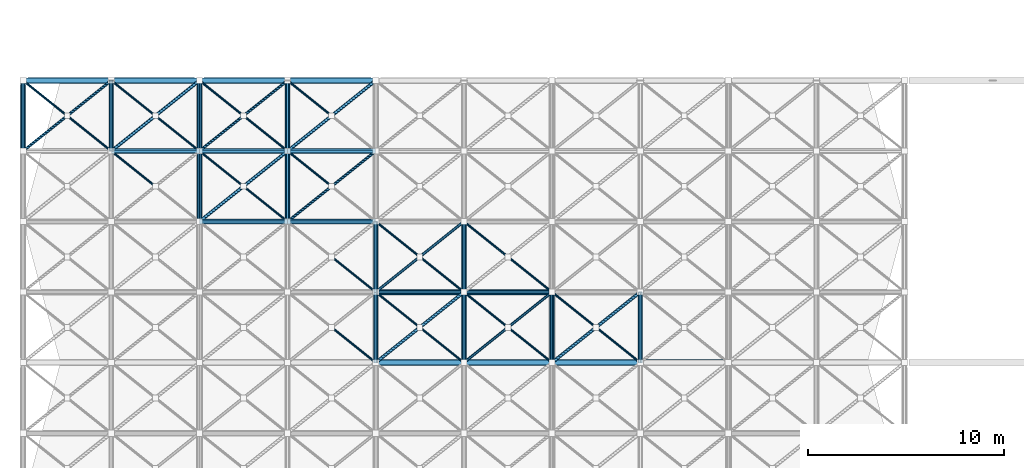
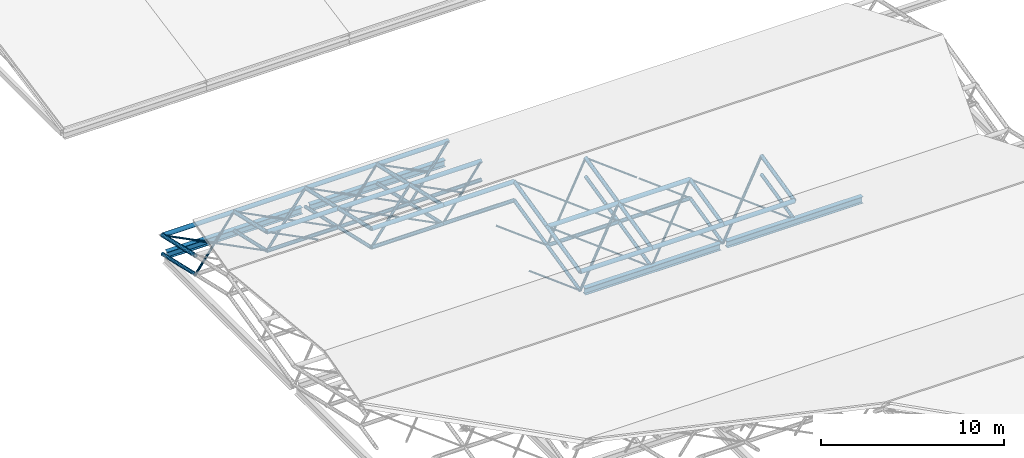
# One storey, part 27 of 110: 78 members, 4 beams.
"""IFC4 building model written with IfcOpenShell, lengths in metres."""

import ifcopenshell
import ifcopenshell.guid

model = None  # the IFC model being written
_history = None  # IfcOwnerHistory: only IFC2X3 demands one
_inside = {}  # id of a spatial element -> (the spatial element, [elements in it])
_under = {}  # id of a project, library or spatial element -> (it, [spatial elements below it])
_declared = {}  # id of a project -> (the project, [libraries it declares])
_typed = {}  # id of a type object -> (the type object, [elements of that type])
_made_of = {}  # id of a material, layer set ... -> (it, [elements and type objects made of it])


def new_model(schema):
    """Start an empty IFC model of exactly this schema.

    Asked for "IFC4X3", IfcOpenShell would pick the latest addendum, in which some entities
    have other attributes; the version numbers below select the first issue.
    IFC2X3 requires an IfcOwnerHistory on every rooted entity: one is made here for all.
    """
    global model, _history
    if schema == "IFC4X3":
        model = ifcopenshell.file(schema_version=(4, 3, 0, 0))
    else:
        model = ifcopenshell.file(schema=schema)
    _inside.clear()
    _under.clear()
    _declared.clear()
    _typed.clear()
    _made_of.clear()
    _history = None
    if model.schema == "IFC2X3":
        org = make("IfcOrganization", Name="unknown")
        user = make(
            "IfcPersonAndOrganization",
            ThePerson=make("IfcPerson", FamilyName="unknown"),
            TheOrganization=org,
        )
        app = make(
            "IfcApplication",
            ApplicationDeveloper=org,
            Version="unknown",
            ApplicationFullName="unknown",
            ApplicationIdentifier="unknown",
        )
        _history = make(
            "IfcOwnerHistory",
            OwningUser=user,
            OwningApplication=app,
            ChangeAction="ADDED",
            CreationDate=0,
        )
    return model


def make(cls, **values):
    """One entity of the class cls with the attributes given. An attribute that is None is left unset."""
    return model.create_entity(
        cls, **{name: value for name, value in values.items() if value is not None}
    )


def rooted(cls, **values):
    """An entity with a GlobalId (a new one), such as an element, a storey or a relation."""
    return make(cls, GlobalId=ifcopenshell.guid.new(), OwnerHistory=_history, **values)


def si_unit(unit_type, name, prefix=None):
    """IfcSIUnit, for example si_unit("LENGTHUNIT", "METRE", prefix="MILLI")."""
    return make("IfcSIUnit", UnitType=unit_type, Prefix=prefix, Name=name)


def assignment(units):
    """IfcUnitAssignment: the units of a project."""
    return None if units is None else make("IfcUnitAssignment", Units=units)


def point(xyz):
    """IfcCartesianPoint."""
    return None if xyz is None else make("IfcCartesianPoint", Coordinates=xyz)


def direction(xyz):
    """IfcDirection."""
    return None if xyz is None else make("IfcDirection", DirectionRatios=xyz)


def frame(location, z_axis=None, x_axis=None):
    """IfcAxis2Placement3D, a coordinate frame: its origin and axes. An axis left out is left unset."""
    return make(
        "IfcAxis2Placement3D",
        Location=point(location),
        Axis=direction(z_axis),
        RefDirection=direction(x_axis),
    )


def frame_2d(location, x_axis=None):
    """IfcAxis2Placement2D, a coordinate frame in the plane: its origin and x axis."""
    return make(
        "IfcAxis2Placement2D", Location=point(location), RefDirection=direction(x_axis)
    )


def origin():
    """The frame at (0, 0, 0) with its axes left unset."""
    return frame((0.0, 0.0, 0.0))


def origin_2d():
    """The frame at (0, 0) in the plane with its x axis left unset."""
    return frame_2d((0.0, 0.0))


def place(relative_to, where):
    """IfcLocalPlacement: puts the frame where relative to a parent placement (None: the world)."""
    return make(
        "IfcLocalPlacement", PlacementRelTo=relative_to, RelativePlacement=where
    )


def context(
    kind, dimensions, precision=None, world=None, true_north=None, identifier=None
):
    """IfcGeometricRepresentationContext, for example the 3D "Model" context."""
    return make(
        "IfcGeometricRepresentationContext",
        ContextIdentifier=identifier,
        ContextType=kind,
        CoordinateSpaceDimension=dimensions,
        Precision=precision,
        WorldCoordinateSystem=world,
        TrueNorth=true_north,
    )


def subcontext(parent, identifier, kind, view, scale=None):
    """IfcGeometricRepresentationSubContext, for example "Body" below "Model"."""
    return make(
        "IfcGeometricRepresentationSubContext",
        ContextIdentifier=identifier,
        ContextType=kind,
        ParentContext=parent,
        TargetScale=scale,
        TargetView=view,
    )


def project(units=None, contexts=None):
    """IfcProject with its units and contexts."""
    return rooted(
        "IfcProject",
        Name="project",
        RepresentationContexts=contexts,
        UnitsInContext=assignment(units),
    )


def spatial(cls, under=None, at=None, **own):
    """A site, building, storey or space (cls), placed at a placement, below another one or the project."""
    s = rooted(cls, ObjectPlacement=at, **own)
    if under is not None:
        _under.setdefault(under.id(), (under, []))[1].append(s)
    return s


def profile(cls, at=None, kind="AREA", **sizes):
    """A parametric profile (cls). Its sizes go by their IFC names, for example OverallWidth=200.0."""
    return make(cls, ProfileType=kind, Position=at, **sizes)


def hollow_circle(**sizes):
    """IfcCircleHollowProfileDef."""
    return profile("IfcCircleHollowProfileDef", **sizes)


def i_section(**sizes):
    """IfcIShapeProfileDef."""
    return profile("IfcIShapeProfileDef", **sizes)


def extrude(swept, where, along, depth):
    """IfcExtrudedAreaSolid: the profile swept, set in the frame where, extruded along a direction by depth."""
    return make(
        "IfcExtrudedAreaSolid",
        SweptArea=swept,
        Position=where,
        ExtrudedDirection=direction(along),
        Depth=depth,
    )


def shape(context_of_items, identifier, shape_type, items):
    """IfcShapeRepresentation: the items that make up one representation, for example the "Body"."""
    return make(
        "IfcShapeRepresentation",
        ContextOfItems=context_of_items,
        RepresentationIdentifier=identifier,
        RepresentationType=shape_type,
        Items=items,
    )


def material(Name=None, Category=None):
    """IfcMaterial."""
    return make("IfcMaterial", Name=Name, Category=Category)


def material_profile(
    of_material, cross_section, Name=None, Category=None, Priority=None
):
    """IfcMaterialProfile: a cross section and its material."""
    return make(
        "IfcMaterialProfile",
        Name=Name,
        Material=of_material,
        Profile=cross_section,
        Priority=Priority,
        Category=Category,
    )


def profile_set(profiles, Name=None, composite=None):
    """IfcMaterialProfileSet."""
    return make(
        "IfcMaterialProfileSet",
        Name=Name,
        MaterialProfiles=profiles,
        CompositeProfile=composite,
    )


def made_of(thing, what):
    """Note that an element or type object is made of a material, layer set ...; save() writes the relation."""
    if what is not None:
        _made_of.setdefault(what.id(), (what, []))[1].append(thing)
    return thing


def type_object(cls, material=None, **own):
    """A type object (cls), such as IfcWallType, which elements share."""
    return made_of(rooted(cls, **own), material)


def element(
    cls,
    number,
    at=None,
    inside=None,
    cuts=None,
    type_object=None,
    material=None,
    context=None,
    identifier="Body",
    shape_type=None,
    held_by="IfcProductDefinitionShape",
    body=None,
    shapes=None,
    **own,
):
    """One element of the class cls, such as IfcWall. Its Tag is "e" and its number.

    at: its placement. inside: the storey or other place that contains it. cuts: it is an
    opening in that element (IfcRelVoidsElement). A single representation is given by context,
    identifier, shape_type and body (its items); several are given by shapes. held_by: the class
    of the entity that holds the representations. save() writes the other relations.
    """
    e = rooted(cls, Tag="e%d" % number, ObjectPlacement=at, **own)
    if body is not None:
        shapes = [shape(context, identifier, shape_type, body)]
    if shapes is not None:
        e.Representation = make(held_by, Representations=shapes)
    if inside is not None:
        _inside.setdefault(inside.id(), (inside, []))[1].append(e)
    if cuts is not None:
        rooted(
            "IfcRelVoidsElement", RelatingBuildingElement=cuts, RelatedOpeningElement=e
        )
    if type_object is not None:
        _typed.setdefault(type_object.id(), (type_object, []))[1].append(e)
    return made_of(e, material)


def aggregate(whole, parts):
    """IfcRelAggregates: a whole, such as a stair, and the parts it consists of."""
    return rooted("IfcRelAggregates", RelatingObject=whole, RelatedObjects=parts)


def save(model, path):
    """Write the relations noted so far, then the file.

    IfcRelAggregates (storeys below a building ...), IfcRelContainedInSpatialStructure (elements
    in a storey), IfcRelDefinesByType, IfcRelAssociatesMaterial and IfcRelDeclares: one each for
    every whole, place, type object, material and project.
    """
    for whole, parts in _under.values():
        aggregate(whole, parts)
    for where, things in _inside.values():
        rooted(
            "IfcRelContainedInSpatialStructure",
            RelatedElements=things,
            RelatingStructure=where,
        )
    for kind, things in _typed.values():
        rooted("IfcRelDefinesByType", RelatedObjects=things, RelatingType=kind)
    for what, things in _made_of.values():
        rooted("IfcRelAssociatesMaterial", RelatedObjects=things, RelatingMaterial=what)
    for by, libraries in _declared.values():
        rooted("IfcRelDeclares", RelatingContext=by, RelatedDefinitions=libraries)
    model.write(path)


model = new_model("IFC4")

# Units and contexts
model_context = context("Model", 3, precision=1e-05, world=origin(), true_north=direction((0.0, 1.0)))
body_context = subcontext(model_context, "Body", "Model", "MODEL_VIEW")
ifc_project = project(units=[si_unit("LENGTHUNIT", "METRE"), si_unit("AREAUNIT", "SQUARE_METRE"), si_unit("VOLUMEUNIT", "CUBIC_METRE"), si_unit("PLANEANGLEUNIT", "RADIAN"), si_unit("MASSUNIT", "GRAM", prefix="KILO")], contexts=[model_context])

# Site, building, storey
site_placement = place(None, origin())
site = spatial("IfcSite", under=ifc_project, at=site_placement, CompositionType="ELEMENT")
building_placement = place(site_placement, origin())
building = spatial("IfcBuilding", under=site, at=building_placement, Name="Tamarisk Ironworks Central Station", CompositionType="ELEMENT")
storey_placement = place(building_placement, frame((0.0, 0.0, 17.39990234375)))
storey = spatial("IfcBuildingStorey", under=building, at=storey_placement, Name="L03", CompositionType="ELEMENT", Elevation=17.39990234375)

# Beams
ifc_material_1 = material(Name="Structural steel S355J2", Category="steel")
ifc_material_profile_1 = material_profile(ifc_material_1, i_section(OverallWidth=0.300048828125, OverallDepth=0.43994140625, WebThickness=0.011474609375, FlangeThickness=0.02099609375, at=origin_2d()), Name="HEA 450")
ifc_profile_set_1 = profile_set([ifc_material_profile_1], Name="Structural steel S355J2")
beam_type = type_object("IfcBeamType", Name="BM-G06", PredefinedType="BEAM", material=ifc_profile_set_1)
for number, where, z_axis, x_axis, name in (
    (1, (18.241943359375, 64.800048828125, -1.81982421875), (1.0, 0.0, 0.0), (0.0, 1.0, 0.0), "L03 primary girder X-0569"),
    (2, (27.191162109375, 64.800048828125, -1.81982421875), (1.0, 0.0, 0.0), (0.0, 1.0, 0.0), "L03 primary girder X-0570"),
):
    element("IfcBeam", number, at=place(storey_placement, frame(where, z_axis=z_axis, x_axis=x_axis)), inside=storey, type_object=beam_type, Name=name, PredefinedType="BEAM", context=body_context, shape_type="SweptSolid", body=[
        extrude(i_section(OverallWidth=0.300048828125, OverallDepth=0.43994140625, WebThickness=0.011474609375, FlangeThickness=0.02099609375, at=origin_2d()), origin(), (0.0, 0.0, 1.0), 8.56689453125),
    ])
beam_1_placement = place(storey_placement, frame((0.238037109375, 79.199951171875, -1.81982421875), z_axis=(1.0, 0.0, 0.0), x_axis=(0.0, 1.0, 0.0)))
element("IfcBeam", 3, at=beam_1_placement, inside=storey, type_object=beam_type, Name="L03 primary girder X-0577", PredefinedType="BEAM", context=body_context, shape_type="SweptSolid", body=[
    extrude(i_section(OverallWidth=0.300048828125, OverallDepth=0.43994140625, WebThickness=0.011474609375, FlangeThickness=0.02099609375, at=origin_2d()), origin(), (0.0, 0.0, 1.0), 8.52001953125),
])
beam_2_placement = place(storey_placement, frame((9.241943359375, 79.199951171875, -1.81982421875), z_axis=(1.0, 0.0, 0.0), x_axis=(0.0, 1.0, 0.0)))
element("IfcBeam", 4, at=beam_2_placement, inside=storey, type_object=beam_type, Name="L03 primary girder X-0578", PredefinedType="BEAM", context=body_context, shape_type="SweptSolid", body=[
    extrude(i_section(OverallWidth=0.300048828125, OverallDepth=0.43994140625, WebThickness=0.011474609375, FlangeThickness=0.02099609375, at=origin_2d()), origin(), (0.0, 0.0, 1.0), 8.51611328125),
])

# Members
ifc_material_2 = material(Name="Structural steel S355J2H", Category="steel")
ifc_material_profile_2 = material_profile(ifc_material_2, hollow_circle(Radius=0.136474609375, WallThickness=0.012451171875, at=origin_2d()), Name="CHS 273x12.5")
ifc_profile_set_2 = profile_set([ifc_material_profile_2], Name="Structural steel S355J2H")
member_type_1 = type_object("IfcMemberType", Name="MB-SFC01", PredefinedType="CHORD", material=ifc_profile_set_2)
for number, where, z_axis, x_axis, name in (
    (5, (18.0, 64.800048828125, -0.469970703125), (1.0, 0.0, 0.0), (0.0, 1.0, 0.0), "Train shed space-frame top chord 0595"),
    (6, (22.5, 64.800048828125, -0.469970703125), (1.0, 0.0, 0.0), (0.0, 1.0, 0.0), "Train shed space-frame top chord 0596"),
    (7, (27.0, 64.800048828125, -0.469970703125), (1.0, 0.0, 0.0), (0.0, 1.0, 0.0), "Train shed space-frame top chord 0597"),
    (8, (18.0, 68.39990234375, 0.35498046875), (1.0, 0.0, 0.0), (0.0, 1.0, 0.0), "Train shed space-frame top chord 0803"),
    (9, (22.5, 68.39990234375, 0.35498046875), (1.0, 0.0, 0.0), (0.0, 1.0, 0.0), "Train shed space-frame top chord 0804"),
    (10, (9.0, 72.0, 1.18017578125), (1.0, 0.0, 0.0), (0.0, 1.0, 0.0), "Train shed space-frame top chord 0811"),
    (11, (13.5, 72.0, 1.18017578125), (1.0, 0.0, 0.0), (0.0, 1.0, 0.0), "Train shed space-frame top chord 0812"),
    (12, (4.5, 75.60009765625, 0.35498046875), (1.0, 0.0, 0.0), (0.0, 1.0, 0.0), "Train shed space-frame top chord 0820"),
    (13, (9.0, 75.60009765625, 0.35498046875), (1.0, 0.0, 0.0), (0.0, 1.0, 0.0), "Train shed space-frame top chord 0821"),
    (14, (13.5, 75.60009765625, 0.35498046875), (1.0, 0.0, 0.0), (0.0, 1.0, 0.0), "Train shed space-frame top chord 0822"),
    (15, (0.0, 79.199951171875, -0.469970703125), (1.0, 0.0, 0.0), (0.0, 1.0, 0.0), "Train shed space-frame top chord 0829"),
    (16, (4.5, 79.199951171875, -0.469970703125), (1.0, 0.0, 0.0), (0.0, 1.0, 0.0), "Train shed space-frame top chord 0830"),
    (17, (9.0, 79.199951171875, -0.469970703125), (1.0, 0.0, 0.0), (0.0, 1.0, 0.0), "Train shed space-frame top chord 0831"),
    (18, (13.5, 79.199951171875, -0.469970703125), (1.0, 0.0, 0.0), (0.0, 1.0, 0.0), "Train shed space-frame top chord 0832"),
):
    element("IfcMember", number, at=place(storey_placement, frame(where, z_axis=z_axis, x_axis=x_axis)), inside=storey, type_object=member_type_1, Name=name, PredefinedType="CHORD", context=body_context, shape_type="SweptSolid", body=[
        extrude(hollow_circle(Radius=0.136474609375, WallThickness=0.012451171875, at=origin_2d()), origin(), (0.0, 0.0, 1.0), 4.5),
    ])
ifc_material_profile_3 = material_profile(ifc_material_2, hollow_circle(Radius=0.122314453125, WallThickness=0.012451171875, at=origin_2d()), Name="CHS 244.5x12.5")
ifc_profile_set_3 = profile_set([ifc_material_profile_3], Name="Structural steel S355J2H")
member_type_2 = type_object("IfcMemberType", Name="MB-SFC02", PredefinedType="CHORD", material=ifc_profile_set_3)
for number, where, z_axis, x_axis, name in (
    (19, (18.0, 68.39990234375, -0.89501953125), (1.0, 0.0, 0.0), (0.0, 1.0, 0.0), "Train shed space-frame bottom chord 0729"),
    (20, (22.5, 68.39990234375, -0.89501953125), (1.0, 0.0, 0.0), (0.0, 1.0, 0.0), "Train shed space-frame bottom chord 0730"),
    (21, (9.0, 72.0, -0.06982421875), (1.0, 0.0, 0.0), (0.0, 1.0, 0.0), "Train shed space-frame bottom chord 0737"),
    (22, (13.5, 72.0, -0.06982421875), (1.0, 0.0, 0.0), (0.0, 1.0, 0.0), "Train shed space-frame bottom chord 0738"),
    (23, (4.5, 75.60009765625, -0.89501953125), (1.0, 0.0, 0.0), (0.0, 1.0, 0.0), "Train shed space-frame bottom chord 0746"),
    (24, (9.0, 75.60009765625, -0.89501953125), (1.0, 0.0, 0.0), (0.0, 1.0, 0.0), "Train shed space-frame bottom chord 0747"),
    (25, (13.5, 75.60009765625, -0.89501953125), (1.0, 0.0, 0.0), (0.0, 1.0, 0.0), "Train shed space-frame bottom chord 0748"),
):
    element("IfcMember", number, at=place(storey_placement, frame(where, z_axis=z_axis, x_axis=x_axis)), inside=storey, type_object=member_type_2, Name=name, PredefinedType="CHORD", context=body_context, shape_type="SweptSolid", body=[
        extrude(hollow_circle(Radius=0.122314453125, WallThickness=0.012451171875, at=origin_2d()), origin(), (0.0, 0.0, 1.0), 4.5),
    ])
for number, where, z_axis, x_axis, name in (
    (26, (0.0, 75.60009765625, 0.35498046875), (0.0, 0.974733218107, -0.223372230857), (-1.0, 0.0, 0.0), "Train shed space-frame top transverse chord 0842"),
    (27, (4.5, 75.60009765625, 0.35498046875), (0.0, 0.974733218107, -0.223372230857), (-1.0, 0.0, 0.0), "Train shed space-frame top transverse chord 0846"),
):
    element("IfcMember", number, at=place(storey_placement, frame(where, z_axis=z_axis, x_axis=x_axis)), inside=storey, type_object=member_type_2, Name=name, PredefinedType="CHORD", context=body_context, shape_type="SweptSolid", body=[
        extrude(hollow_circle(Radius=0.122314453125, WallThickness=0.012451171875, at=origin_2d()), origin(), (0.0, 0.0, 1.0), 3.693115234375),
    ])
member_1_placement = place(storey_placement, frame((9.0, 72.0, 1.18017578125), z_axis=(0.0, 0.974722123001, -0.223420641241), x_axis=(-1.0, 0.0, 0.0)))
element("IfcMember", 28, at=member_1_placement, inside=storey, type_object=member_type_2, Name="Train shed space-frame top transverse chord 0849", PredefinedType="CHORD", context=body_context, shape_type="SweptSolid", body=[
    extrude(hollow_circle(Radius=0.122314453125, WallThickness=0.012451171875, at=origin_2d()), origin(), (0.0, 0.0, 1.0), 3.693359375),
])
member_2_placement = place(storey_placement, frame((9.0, 75.60009765625, 0.35498046875), z_axis=(0.0, 0.974733218107, -0.223372230857), x_axis=(-1.0, 0.0, 0.0)))
element("IfcMember", 29, at=member_2_placement, inside=storey, type_object=member_type_2, Name="Train shed space-frame top transverse chord 0850", PredefinedType="CHORD", context=body_context, shape_type="SweptSolid", body=[
    extrude(hollow_circle(Radius=0.122314453125, WallThickness=0.012451171875, at=origin_2d()), origin(), (0.0, 0.0, 1.0), 3.693115234375),
])
member_3_placement = place(storey_placement, frame((13.5, 72.0, 1.18017578125), z_axis=(0.0, 0.974722123001, -0.223420641241), x_axis=(-1.0, 0.0, 0.0)))
element("IfcMember", 30, at=member_3_placement, inside=storey, type_object=member_type_2, Name="Train shed space-frame top transverse chord 0853", PredefinedType="CHORD", context=body_context, shape_type="SweptSolid", body=[
    extrude(hollow_circle(Radius=0.122314453125, WallThickness=0.012451171875, at=origin_2d()), origin(), (0.0, 0.0, 1.0), 3.693359375),
])
for number, where, z_axis, x_axis, name in (
    (31, (13.5, 75.60009765625, 0.35498046875), (0.0, 0.974733218107, -0.223372230857), (-1.0, 0.0, 0.0), "Train shed space-frame top transverse chord 0854"),
    (32, (18.0, 64.800048828125, -0.469970703125), (0.0, 0.974733218107, 0.223372230857), (-1.0, 0.0, 0.0), "Train shed space-frame top transverse chord 0855"),
):
    element("IfcMember", number, at=place(storey_placement, frame(where, z_axis=z_axis, x_axis=x_axis)), inside=storey, type_object=member_type_2, Name=name, PredefinedType="CHORD", context=body_context, shape_type="SweptSolid", body=[
        extrude(hollow_circle(Radius=0.122314453125, WallThickness=0.012451171875, at=origin_2d()), origin(), (0.0, 0.0, 1.0), 3.693115234375),
    ])
member_4_placement = place(storey_placement, frame((18.0, 68.39990234375, 0.35498046875), z_axis=(0.0, 0.974722123001, 0.223420641241), x_axis=(-1.0, 0.0, 0.0)))
element("IfcMember", 33, at=member_4_placement, inside=storey, type_object=member_type_2, Name="Train shed space-frame top transverse chord 0856", PredefinedType="CHORD", context=body_context, shape_type="SweptSolid", body=[
    extrude(hollow_circle(Radius=0.122314453125, WallThickness=0.012451171875, at=origin_2d()), origin(), (0.0, 0.0, 1.0), 3.693359375),
])
member_5_placement = place(storey_placement, frame((22.5, 64.800048828125, -0.469970703125), z_axis=(0.0, 0.974733218107, 0.223372230857), x_axis=(-1.0, 0.0, 0.0)))
element("IfcMember", 34, at=member_5_placement, inside=storey, type_object=member_type_2, Name="Train shed space-frame top transverse chord 0859", PredefinedType="CHORD", context=body_context, shape_type="SweptSolid", body=[
    extrude(hollow_circle(Radius=0.122314453125, WallThickness=0.012451171875, at=origin_2d()), origin(), (0.0, 0.0, 1.0), 3.693115234375),
])
member_6_placement = place(storey_placement, frame((22.5, 68.39990234375, 0.35498046875), z_axis=(0.0, 0.974722123001, 0.223420641241), x_axis=(-1.0, 0.0, 0.0)))
element("IfcMember", 35, at=member_6_placement, inside=storey, type_object=member_type_2, Name="Train shed space-frame top transverse chord 0860", PredefinedType="CHORD", context=body_context, shape_type="SweptSolid", body=[
    extrude(hollow_circle(Radius=0.122314453125, WallThickness=0.012451171875, at=origin_2d()), origin(), (0.0, 0.0, 1.0), 3.693359375),
])
for number, where, z_axis, x_axis, name in (
    (36, (27.0, 64.800048828125, -0.469970703125), (0.0, 0.974733218107, 0.223372230857), (-1.0, 0.0, 0.0), "Train shed space-frame top transverse chord 0863"),
    (37, (31.5, 64.800048828125, -0.469970703125), (0.0, 0.974733218107, 0.223372230857), (-1.0, 0.0, 0.0), "Train shed space-frame top transverse chord 0867"),
):
    element("IfcMember", number, at=place(storey_placement, frame(where, z_axis=z_axis, x_axis=x_axis)), inside=storey, type_object=member_type_2, Name=name, PredefinedType="CHORD", context=body_context, shape_type="SweptSolid", body=[
        extrude(hollow_circle(Radius=0.122314453125, WallThickness=0.012451171875, at=origin_2d()), origin(), (0.0, 0.0, 1.0), 3.693115234375),
    ])
ifc_material_profile_4 = material_profile(ifc_material_2, hollow_circle(Radius=0.109619140625, WallThickness=0.010009765625, at=origin_2d()), Name="CHS 219.1x10")
ifc_profile_set_4 = profile_set([ifc_material_profile_4], Name="Structural steel S355J2H")
member_type_3 = type_object("IfcMemberType", Name="MB-SFC03", PredefinedType="CHORD", material=ifc_profile_set_4)
for number, where, z_axis, x_axis, name in (
    (38, (0.0, 75.60009765625, -0.89501953125), (0.0, 0.974733218107, -0.223372230857), (-1.0, 0.0, 0.0), "Train shed space-frame transverse chord 0758"),
    (39, (4.5, 75.60009765625, -0.89501953125), (0.0, 0.974733218107, -0.223372230857), (-1.0, 0.0, 0.0), "Train shed space-frame transverse chord 0762"),
):
    element("IfcMember", number, at=place(storey_placement, frame(where, z_axis=z_axis, x_axis=x_axis)), inside=storey, type_object=member_type_3, Name=name, PredefinedType="CHORD", context=body_context, shape_type="SweptSolid", body=[
        extrude(hollow_circle(Radius=0.109619140625, WallThickness=0.010009765625, at=origin_2d()), origin(), (0.0, 0.0, 1.0), 3.693115234375),
    ])
member_7_placement = place(storey_placement, frame((9.0, 72.0, -0.06982421875), z_axis=(0.0, 0.974722123001, -0.223420641241), x_axis=(-1.0, 0.0, 0.0)))
element("IfcMember", 40, at=member_7_placement, inside=storey, type_object=member_type_3, Name="Train shed space-frame transverse chord 0765", PredefinedType="CHORD", context=body_context, shape_type="SweptSolid", body=[
    extrude(hollow_circle(Radius=0.109619140625, WallThickness=0.010009765625, at=origin_2d()), origin(), (0.0, 0.0, 1.0), 3.693359375),
])
member_8_placement = place(storey_placement, frame((9.0, 75.60009765625, -0.89501953125), z_axis=(0.0, 0.974733218107, -0.223372230857), x_axis=(-1.0, 0.0, 0.0)))
element("IfcMember", 41, at=member_8_placement, inside=storey, type_object=member_type_3, Name="Train shed space-frame transverse chord 0766", PredefinedType="CHORD", context=body_context, shape_type="SweptSolid", body=[
    extrude(hollow_circle(Radius=0.109619140625, WallThickness=0.010009765625, at=origin_2d()), origin(), (0.0, 0.0, 1.0), 3.693115234375),
])
member_9_placement = place(storey_placement, frame((13.5, 72.0, -0.06982421875), z_axis=(0.0, 0.974722123001, -0.223420641241), x_axis=(-1.0, 0.0, 0.0)))
element("IfcMember", 42, at=member_9_placement, inside=storey, type_object=member_type_3, Name="Train shed space-frame transverse chord 0769", PredefinedType="CHORD", context=body_context, shape_type="SweptSolid", body=[
    extrude(hollow_circle(Radius=0.109619140625, WallThickness=0.010009765625, at=origin_2d()), origin(), (0.0, 0.0, 1.0), 3.693359375),
])
for number, where, z_axis, x_axis, name in (
    (43, (13.5, 75.60009765625, -0.89501953125), (0.0, 0.974733218107, -0.223372230857), (-1.0, 0.0, 0.0), "Train shed space-frame transverse chord 0770"),
    (44, (18.0, 64.800048828125, -1.719970703125), (0.0, 0.974733218107, 0.223372230857), (-1.0, 0.0, 0.0), "Train shed space-frame transverse chord 0771"),
):
    element("IfcMember", number, at=place(storey_placement, frame(where, z_axis=z_axis, x_axis=x_axis)), inside=storey, type_object=member_type_3, Name=name, PredefinedType="CHORD", context=body_context, shape_type="SweptSolid", body=[
        extrude(hollow_circle(Radius=0.109619140625, WallThickness=0.010009765625, at=origin_2d()), origin(), (0.0, 0.0, 1.0), 3.693115234375),
    ])
member_10_placement = place(storey_placement, frame((18.0, 68.39990234375, -0.89501953125), z_axis=(0.0, 0.974722123001, 0.223420641241), x_axis=(-1.0, 0.0, 0.0)))
element("IfcMember", 45, at=member_10_placement, inside=storey, type_object=member_type_3, Name="Train shed space-frame transverse chord 0772", PredefinedType="CHORD", context=body_context, shape_type="SweptSolid", body=[
    extrude(hollow_circle(Radius=0.109619140625, WallThickness=0.010009765625, at=origin_2d()), origin(), (0.0, 0.0, 1.0), 3.693359375),
])
member_11_placement = place(storey_placement, frame((22.5, 64.800048828125, -1.719970703125), z_axis=(0.0, 0.974733218107, 0.223372230857), x_axis=(-1.0, 0.0, 0.0)))
element("IfcMember", 46, at=member_11_placement, inside=storey, type_object=member_type_3, Name="Train shed space-frame transverse chord 0775", PredefinedType="CHORD", context=body_context, shape_type="SweptSolid", body=[
    extrude(hollow_circle(Radius=0.109619140625, WallThickness=0.010009765625, at=origin_2d()), origin(), (0.0, 0.0, 1.0), 3.693115234375),
])
member_12_placement = place(storey_placement, frame((22.5, 68.39990234375, -0.89501953125), z_axis=(0.0, 0.974722123001, 0.223420641241), x_axis=(-1.0, 0.0, 0.0)))
element("IfcMember", 47, at=member_12_placement, inside=storey, type_object=member_type_3, Name="Train shed space-frame transverse chord 0776", PredefinedType="CHORD", context=body_context, shape_type="SweptSolid", body=[
    extrude(hollow_circle(Radius=0.109619140625, WallThickness=0.010009765625, at=origin_2d()), origin(), (0.0, 0.0, 1.0), 3.693359375),
])
for number, where, z_axis, x_axis, name in (
    (48, (27.0, 64.800048828125, -1.719970703125), (0.0, 0.974733218107, 0.223372230857), (-1.0, 0.0, 0.0), "Train shed space-frame transverse chord 0779"),
    (49, (31.5, 64.800048828125, -1.719970703125), (0.0, 0.974733218107, 0.223372230857), (-1.0, 0.0, 0.0), "Train shed space-frame transverse chord 0783"),
):
    element("IfcMember", number, at=place(storey_placement, frame(where, z_axis=z_axis, x_axis=x_axis)), inside=storey, type_object=member_type_3, Name=name, PredefinedType="CHORD", context=body_context, shape_type="SweptSolid", body=[
        extrude(hollow_circle(Radius=0.109619140625, WallThickness=0.010009765625, at=origin_2d()), origin(), (0.0, 0.0, 1.0), 3.693115234375),
    ])
ifc_material_profile_5 = material_profile(ifc_material_2, hollow_circle(Radius=0.084228515625, WallThickness=0.010009765625, at=origin_2d()), Name="CHS 168.3x10")
ifc_profile_set_5 = profile_set([ifc_material_profile_5], Name="Structural steel S355J2H")
member_type_4 = type_object("IfcMemberType", Name="MB-SFD01", PredefinedType="BRACE", material=ifc_profile_set_5)
member_13_placement = place(storey_placement, frame((4.5, 75.60009765625, -0.89501953125), z_axis=(0.778765724077, 0.622987228815, 0.073558546312), x_axis=(-0.624679547852, 0.780881208953, 0.0)))
element("IfcMember", 50, at=member_13_placement, inside=storey, type_object=member_type_4, Name="Train shed space-frame diagonal 0897", PredefinedType="BRACE", context=body_context, shape_type="SweptSolid", body=[
    extrude(hollow_circle(Radius=0.084228515625, WallThickness=0.010009765625, at=origin_2d()), origin(), (0.0, 0.0, 1.0), 5.7783203125),
])
member_14_placement = place(storey_placement, frame((9.0, 72.0, -0.06982421875), z_axis=(0.778747645228, 0.623015016088, 0.073514588905), x_axis=(-0.624705380279, 0.780860543151, 0.0)))
element("IfcMember", 51, at=member_14_placement, inside=storey, type_object=member_type_4, Name="Train shed space-frame diagonal 0903", PredefinedType="BRACE", context=body_context, shape_type="SweptSolid", body=[
    extrude(hollow_circle(Radius=0.084228515625, WallThickness=0.010009765625, at=origin_2d()), origin(), (0.0, 0.0, 1.0), 5.778564453125),
])
member_15_placement = place(storey_placement, frame((13.5, 75.60009765625, -0.89501953125), z_axis=(0.778765724077, 0.622987228815, 0.073558546312), x_axis=(-0.624679547852, 0.780881208953, 0.0)))
element("IfcMember", 52, at=member_15_placement, inside=storey, type_object=member_type_4, Name="Train shed space-frame diagonal 0913", PredefinedType="BRACE", context=body_context, shape_type="SweptSolid", body=[
    extrude(hollow_circle(Radius=0.084228515625, WallThickness=0.010009765625, at=origin_2d()), origin(), (0.0, 0.0, 1.0), 5.7783203125),
])
for number, where, z_axis, x_axis, name in (
    (53, (18.0, 64.800048828125, -1.719970703125), (0.734706189143, 0.587741035097, 0.338773215143), (-0.624679547852, 0.780881208953, 0.0), "Train shed space-frame diagonal 0915"),
    (54, (27.0, 64.800048828125, -1.719970703125), (0.734706189143, 0.587741035097, 0.338773215143), (-0.624679547852, 0.780881208953, 0.0), "Train shed space-frame diagonal 0931"),
):
    element("IfcMember", number, at=place(storey_placement, frame(where, z_axis=z_axis, x_axis=x_axis)), inside=storey, type_object=member_type_4, Name=name, PredefinedType="BRACE", context=body_context, shape_type="SweptSolid", body=[
        extrude(hollow_circle(Radius=0.084228515625, WallThickness=0.010009765625, at=origin_2d()), origin(), (0.0, 0.0, 1.0), 6.125),
    ])
ifc_material_profile_6 = material_profile(ifc_material_2, hollow_circle(Radius=0.06982421875, WallThickness=0.008056640625, at=origin_2d()), Name="CHS 139.7x8")
ifc_profile_set_6 = profile_set([ifc_material_profile_6], Name="Structural steel S355J2H")
member_type_5 = type_object("IfcMemberType", Name="MB-SFD02", PredefinedType="BRACE", material=ifc_profile_set_6)
for number, where, z_axis, x_axis, name in (
    (55, (0.0, 75.60009765625, -0.89501953125), (0.778765724077, 0.622987228815, 0.073558546312), (-0.624679547852, 0.780881208953, 0.0), "Train shed space-frame diagonal 0889"),
    (56, (9.0, 75.60009765625, -0.89501953125), (0.778765724077, 0.622987228815, 0.073558546312), (-0.624679547852, 0.780881208953, 0.0), "Train shed space-frame diagonal 0905"),
):
    element("IfcMember", number, at=place(storey_placement, frame(where, z_axis=z_axis, x_axis=x_axis)), inside=storey, type_object=member_type_5, Name=name, PredefinedType="BRACE", context=body_context, shape_type="SweptSolid", body=[
        extrude(hollow_circle(Radius=0.06982421875, WallThickness=0.008056640625, at=origin_2d()), origin(), (0.0, 0.0, 1.0), 5.7783203125),
    ])
member_16_placement = place(storey_placement, frame((13.5, 72.0, -0.06982421875), z_axis=(0.778747645228, 0.623015016088, 0.073514588905), x_axis=(-0.624705380279, 0.780860543151, 0.0)))
element("IfcMember", 57, at=member_16_placement, inside=storey, type_object=member_type_5, Name="Train shed space-frame diagonal 0911", PredefinedType="BRACE", context=body_context, shape_type="SweptSolid", body=[
    extrude(hollow_circle(Radius=0.06982421875, WallThickness=0.008056640625, at=origin_2d()), origin(), (0.0, 0.0, 1.0), 5.778564453125),
])
member_17_placement = place(storey_placement, frame((18.0, 68.39990234375, -0.89501953125), z_axis=(0.734679055902, 0.587759188278, 0.338800562889), x_axis=(-0.624705380279, 0.780860543151, 0.0)))
element("IfcMember", 58, at=member_17_placement, inside=storey, type_object=member_type_5, Name="Train shed space-frame diagonal 0917", PredefinedType="BRACE", context=body_context, shape_type="SweptSolid", body=[
    extrude(hollow_circle(Radius=0.06982421875, WallThickness=0.008056640625, at=origin_2d()), origin(), (0.0, 0.0, 1.0), 6.125244140625),
])
member_18_placement = place(storey_placement, frame((22.5, 64.800048828125, -1.719970703125), z_axis=(0.734706189143, 0.587741035097, 0.338773215143), x_axis=(-0.624679547852, 0.780881208953, 0.0)))
element("IfcMember", 59, at=member_18_placement, inside=storey, type_object=member_type_5, Name="Train shed space-frame diagonal 0923", PredefinedType="BRACE", context=body_context, shape_type="SweptSolid", body=[
    extrude(hollow_circle(Radius=0.06982421875, WallThickness=0.008056640625, at=origin_2d()), origin(), (0.0, 0.0, 1.0), 6.125),
])
ifc_material_profile_7 = material_profile(ifc_material_2, hollow_circle(Radius=0.05712890625, WallThickness=0.00634765625, at=origin_2d()), Name="CHS 114.3x6.3")
ifc_profile_set_7 = profile_set([ifc_material_profile_7], Name="Structural steel S355J2H")
member_type_6 = type_object("IfcMemberType", Name="MB-SFD03", PredefinedType="BRACE", material=ifc_profile_set_7)
for number, where, z_axis, x_axis, name in (
    (60, (4.5, 75.60009765625, -0.89501953125), (-0.778786711003, 0.622960457248, 0.073563084968), (-0.624652913247, -0.780902515025, 0.0), "Train shed space-frame split counter-diagonal lower 0890"),
    (61, (2.207275390625, 77.434326171875, -0.678466796875), (-0.778786711003, 0.622960457248, 0.073563084968), (-0.624652913247, -0.780902515025, 0.0), "Train shed space-frame split counter-diagonal upper 0890"),
):
    element("IfcMember", number, at=place(storey_placement, frame(where, z_axis=z_axis, x_axis=x_axis)), inside=storey, type_object=member_type_6, Name=name, PredefinedType="BRACE", context=body_context, shape_type="SweptSolid", body=[
        extrude(hollow_circle(Radius=0.05712890625, WallThickness=0.00634765625, at=origin_2d()), origin(), (0.0, 0.0, 1.0), 2.834228515625),
    ])
member_19_placement = place(storey_placement, frame((6.707275390625, 73.834228515625, 0.146484375), z_axis=(-0.778744920641, 0.623013163477, 0.07355913751), x_axis=(-0.624705580279, -0.780860383147, 0.0)))
element("IfcMember", 62, at=member_19_placement, inside=storey, type_object=member_type_6, Name="Train shed space-frame split counter-diagonal upper 0896", PredefinedType="BRACE", context=body_context, shape_type="SweptSolid", body=[
    extrude(hollow_circle(Radius=0.05712890625, WallThickness=0.00634765625, at=origin_2d()), origin(), (0.0, 0.0, 1.0), 2.83447265625),
])
for number, where, z_axis, x_axis, name in (
    (63, (9.0, 75.60009765625, -0.89501953125), (-0.778786711003, 0.622960457248, 0.073563084968), (-0.624652913247, -0.780902515025, 0.0), "Train shed space-frame split counter-diagonal lower 0898"),
    (64, (6.707275390625, 77.434326171875, -0.678466796875), (-0.778786711003, 0.622960457248, 0.073563084968), (-0.624652913247, -0.780902515025, 0.0), "Train shed space-frame split counter-diagonal upper 0898"),
    (65, (13.5, 72.0, -0.06982421875), (-0.778786711003, 0.622960457248, 0.073563084968), (-0.624652913247, -0.780902515025, 0.0), "Train shed space-frame split counter-diagonal lower 0904"),
):
    element("IfcMember", number, at=place(storey_placement, frame(where, z_axis=z_axis, x_axis=x_axis)), inside=storey, type_object=member_type_6, Name=name, PredefinedType="BRACE", context=body_context, shape_type="SweptSolid", body=[
        extrude(hollow_circle(Radius=0.05712890625, WallThickness=0.00634765625, at=origin_2d()), origin(), (0.0, 0.0, 1.0), 2.834228515625),
    ])
member_20_placement = place(storey_placement, frame((11.207275390625, 73.834228515625, 0.146484375), z_axis=(-0.778744920641, 0.623013163477, 0.07355913751), x_axis=(-0.624705580279, -0.780860383147, 0.0)))
element("IfcMember", 66, at=member_20_placement, inside=storey, type_object=member_type_6, Name="Train shed space-frame split counter-diagonal upper 0904", PredefinedType="BRACE", context=body_context, shape_type="SweptSolid", body=[
    extrude(hollow_circle(Radius=0.05712890625, WallThickness=0.00634765625, at=origin_2d()), origin(), (0.0, 0.0, 1.0), 2.83447265625),
])
for number, where, z_axis, x_axis, name in (
    (67, (13.5, 75.60009765625, -0.89501953125), (-0.778786711003, 0.622960457248, 0.073563084968), (-0.624652913247, -0.780902515025, 0.0), "Train shed space-frame split counter-diagonal lower 0906"),
    (68, (11.207275390625, 77.434326171875, -0.678466796875), (-0.778786711003, 0.622960457248, 0.073563084968), (-0.624652913247, -0.780902515025, 0.0), "Train shed space-frame split counter-diagonal upper 0906"),
):
    element("IfcMember", number, at=place(storey_placement, frame(where, z_axis=z_axis, x_axis=x_axis)), inside=storey, type_object=member_type_6, Name=name, PredefinedType="BRACE", context=body_context, shape_type="SweptSolid", body=[
        extrude(hollow_circle(Radius=0.05712890625, WallThickness=0.00634765625, at=origin_2d()), origin(), (0.0, 0.0, 1.0), 2.834228515625),
    ])
member_21_placement = place(storey_placement, frame((18.0, 64.800048828125, -1.719970703125), z_axis=(-0.734712152648, 0.587704782363, 0.33882317149), x_axis=(-0.624652959802, -0.780902477785, 0.0)))
element("IfcMember", 69, at=member_21_placement, inside=storey, type_object=member_type_6, Name="Train shed space-frame split counter-diagonal lower 0908", PredefinedType="BRACE", context=body_context, shape_type="SweptSolid", body=[
    extrude(hollow_circle(Radius=0.05712890625, WallThickness=0.00634765625, at=origin_2d()), origin(), (0.0, 0.0, 1.0), 3.007568359375),
])
member_22_placement = place(storey_placement, frame((18.0, 68.39990234375, -0.89501953125), z_axis=(-0.734677102003, 0.587757915766, 0.338807007376), x_axis=(-0.624705568642, -0.780860392457, 0.0)))
element("IfcMember", 70, at=member_22_placement, inside=storey, type_object=member_type_6, Name="Train shed space-frame split counter-diagonal lower 0910", PredefinedType="BRACE", context=body_context, shape_type="SweptSolid", body=[
    extrude(hollow_circle(Radius=0.05712890625, WallThickness=0.00634765625, at=origin_2d()), origin(), (0.0, 0.0, 1.0), 3.0078125),
])
member_23_placement = place(storey_placement, frame((15.707275390625, 73.834228515625, 0.146484375), z_axis=(-0.778744920641, 0.623013163477, 0.07355913751), x_axis=(-0.624705580279, -0.780860383147, 0.0)))
element("IfcMember", 71, at=member_23_placement, inside=storey, type_object=member_type_6, Name="Train shed space-frame split counter-diagonal upper 0912", PredefinedType="BRACE", context=body_context, shape_type="SweptSolid", body=[
    extrude(hollow_circle(Radius=0.05712890625, WallThickness=0.00634765625, at=origin_2d()), origin(), (0.0, 0.0, 1.0), 2.83447265625),
])
member_24_placement = place(storey_placement, frame((15.707275390625, 77.434326171875, -0.678466796875), z_axis=(-0.778786711003, 0.622960457248, 0.073563084968), x_axis=(-0.624652913247, -0.780902515025, 0.0)))
element("IfcMember", 72, at=member_24_placement, inside=storey, type_object=member_type_6, Name="Train shed space-frame split counter-diagonal upper 0914", PredefinedType="BRACE", context=body_context, shape_type="SweptSolid", body=[
    extrude(hollow_circle(Radius=0.05712890625, WallThickness=0.00634765625, at=origin_2d()), origin(), (0.0, 0.0, 1.0), 2.834228515625),
])
for number, where, z_axis, x_axis, name in (
    (73, (22.5, 64.800048828125, -1.719970703125), (-0.734712152648, 0.587704782363, 0.33882317149), (-0.624652959802, -0.780902477785, 0.0), "Train shed space-frame split counter-diagonal lower 0916"),
    (74, (20.209716796875, 66.63232421875, -0.663818359375), (-0.734732358486, 0.587720945248, 0.338751312779), (-0.624652959802, -0.780902477785, 0.0), "Train shed space-frame split counter-diagonal upper 0916"),
):
    element("IfcMember", number, at=place(storey_placement, frame(where, z_axis=z_axis, x_axis=x_axis)), inside=storey, type_object=member_type_6, Name=name, PredefinedType="BRACE", context=body_context, shape_type="SweptSolid", body=[
        extrude(hollow_circle(Radius=0.05712890625, WallThickness=0.00634765625, at=origin_2d()), origin(), (0.0, 0.0, 1.0), 3.007568359375),
    ])
member_25_placement = place(storey_placement, frame((22.5, 68.39990234375, -0.89501953125), z_axis=(-0.734677102003, 0.587757915766, 0.338807007376), x_axis=(-0.624705568642, -0.780860392457, 0.0)))
element("IfcMember", 75, at=member_25_placement, inside=storey, type_object=member_type_6, Name="Train shed space-frame split counter-diagonal lower 0918", PredefinedType="BRACE", context=body_context, shape_type="SweptSolid", body=[
    extrude(hollow_circle(Radius=0.05712890625, WallThickness=0.00634765625, at=origin_2d()), origin(), (0.0, 0.0, 1.0), 3.0078125),
])
for number, where, z_axis, x_axis, name in (
    (76, (20.209716796875, 70.232421875, 0.1611328125), (-0.734712152648, 0.587704782363, 0.33882317149), (-0.624652959802, -0.780902477785, 0.0), "Train shed space-frame split counter-diagonal upper 0918"),
    (77, (27.0, 64.800048828125, -1.719970703125), (-0.734712152648, 0.587704782363, 0.33882317149), (-0.624652959802, -0.780902477785, 0.0), "Train shed space-frame split counter-diagonal lower 0924"),
    (78, (24.709716796875, 66.63232421875, -0.663818359375), (-0.734732358486, 0.587720945248, 0.338751312779), (-0.624652959802, -0.780902477785, 0.0), "Train shed space-frame split counter-diagonal upper 0924"),
):
    element("IfcMember", number, at=place(storey_placement, frame(where, z_axis=z_axis, x_axis=x_axis)), inside=storey, type_object=member_type_6, Name=name, PredefinedType="BRACE", context=body_context, shape_type="SweptSolid", body=[
        extrude(hollow_circle(Radius=0.05712890625, WallThickness=0.00634765625, at=origin_2d()), origin(), (0.0, 0.0, 1.0), 3.007568359375),
    ])
member_26_placement = place(storey_placement, frame((27.0, 68.39990234375, -0.89501953125), z_axis=(-0.734677102003, 0.587757915766, 0.338807007376), x_axis=(-0.624705568642, -0.780860392457, 0.0)))
element("IfcMember", 79, at=member_26_placement, inside=storey, type_object=member_type_6, Name="Train shed space-frame split counter-diagonal lower 0926", PredefinedType="BRACE", context=body_context, shape_type="SweptSolid", body=[
    extrude(hollow_circle(Radius=0.05712890625, WallThickness=0.00634765625, at=origin_2d()), origin(), (0.0, 0.0, 1.0), 3.0078125),
])
for number, where, z_axis, x_axis, name in (
    (80, (24.709716796875, 70.232421875, 0.1611328125), (-0.734712152648, 0.587704782363, 0.33882317149), (-0.624652959802, -0.780902477785, 0.0), "Train shed space-frame split counter-diagonal upper 0926"),
    (81, (31.5, 64.800048828125, -1.719970703125), (-0.734712152648, 0.587704782363, 0.33882317149), (-0.624652959802, -0.780902477785, 0.0), "Train shed space-frame split counter-diagonal lower 0932"),
    (82, (29.209716796875, 66.63232421875, -0.663818359375), (-0.734732358486, 0.587720945248, 0.338751312779), (-0.624652959802, -0.780902477785, 0.0), "Train shed space-frame split counter-diagonal upper 0932"),
):
    element("IfcMember", number, at=place(storey_placement, frame(where, z_axis=z_axis, x_axis=x_axis)), inside=storey, type_object=member_type_6, Name=name, PredefinedType="BRACE", context=body_context, shape_type="SweptSolid", body=[
        extrude(hollow_circle(Radius=0.05712890625, WallThickness=0.00634765625, at=origin_2d()), origin(), (0.0, 0.0, 1.0), 3.007568359375),
    ])

save(model, "model.ifc")
